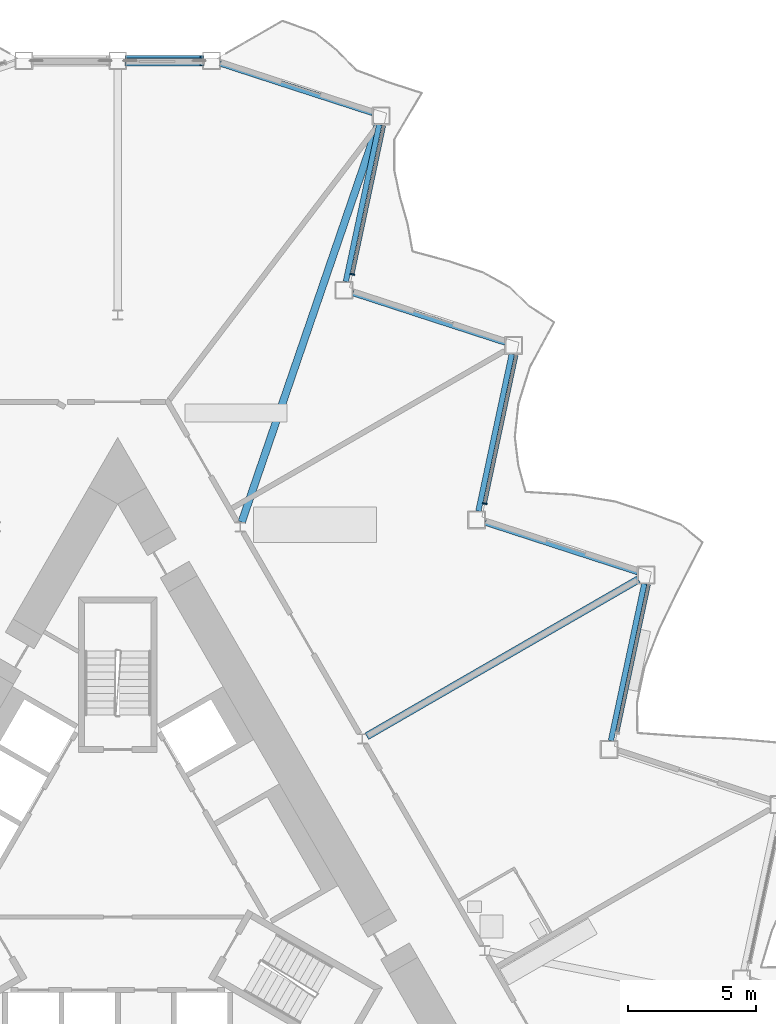
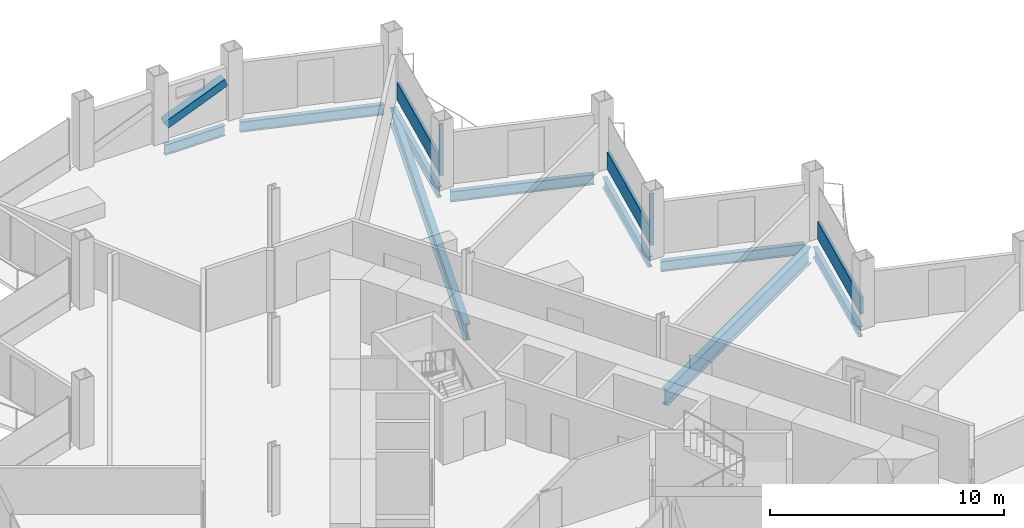
# One storey, part 9 of 23: 9 beams, 6 members, 3 elements without a shape of their own.
"""IFC4 building model written with IfcOpenShell, lengths in metres."""

from ifc_helpers import new_model, si_unit, direction, frame, origin, origin_2d, place, context, subcontext, project, spatial, rectangle, hollow_rectangle, i_section, extrude, material, layer, layer_set, material_profile, profile_set, type_object, element, aggregate, save


model = new_model("IFC4")

# Units and contexts
model_context = context("Model", 3, precision=1e-05, world=origin(), true_north=direction((0.0, 1.0)))
body_context = subcontext(model_context, "Body", "Model", "MODEL_VIEW")
ifc_project = project(units=[si_unit("LENGTHUNIT", "METRE"), si_unit("AREAUNIT", "SQUARE_METRE"), si_unit("VOLUMEUNIT", "CUBIC_METRE"), si_unit("PLANEANGLEUNIT", "RADIAN"), si_unit("MASSUNIT", "GRAM", prefix="KILO")], contexts=[model_context])

# Site, building, storey
site_placement = place(None, origin())
site = spatial("IfcSite", under=ifc_project, at=site_placement, CompositionType="ELEMENT")
building_placement = place(site_placement, origin())
building = spatial("IfcBuilding", under=site, at=building_placement, Name="Cormorant Prow Tower", CompositionType="ELEMENT")
storey_placement = place(building_placement, frame((0.0, 0.0, 267.0)))
storey = spatial("IfcBuildingStorey", under=building, at=storey_placement, Name="L60", CompositionType="ELEMENT", Elevation=267.0)

# Member
ifc_material_1 = material(Name="Structural steel ASTM A500 Gr C", Category="steel")
ifc_material_profile_1 = material_profile(ifc_material_1, hollow_rectangle(XDim=0.406494140625, YDim=0.406494140625, WallThickness=0.01171875, at=origin_2d()), Name="HSS16x16x1/2")
ifc_profile_set_1 = profile_set([ifc_material_profile_1], Name="Structural steel ASTM A500 Gr C")
member_type_1 = type_object("IfcMemberType", Name="Chamfer brace HSS16x16x1/2", PredefinedType="BRACE", material=ifc_profile_set_1)
member_1_placement = place(storey_placement, frame((0.36572265625, 32.073486328125, 0.74951171875), z_axis=(0.925591042089, 0.0, 0.37852506232), x_axis=(0.0, 1.0, 0.0)))
element("IfcMember", 1, at=member_1_placement, inside=storey, type_object=member_type_1, Name="Chamfer brace BR2 at N00 L60", PredefinedType="BRACE", context=body_context, shape_type="SweptSolid", body=[
    extrude(hollow_rectangle(XDim=0.406494140625, YDim=0.406494140625, WallThickness=0.01171875, at=origin_2d()), origin(), (0.0, 0.0, 1.0), 3.17529296875),
])

# Curtain wall, member
ifc_material_2 = material(Name="Aluminium 6063-T6", Category="aluminium")
ifc_layer = layer(ifc_material_2, 0.179931640625)
ifc_layer_set = layer_set([ifc_layer], Name="Aluminium 6063-T6")
curtain_wall_type = type_object("IfcCurtainWallType", Name="Hotel unitised curtain wall 180", PredefinedType="NOTDEFINED", material=ifc_layer_set)
curtain_wall_1_placement = place(storey_placement, origin())
curtain_wall_1 = element("IfcCurtainWall", 2, at=curtain_wall_1_placement, inside=storey, type_object=curtain_wall_type, Name="Hotel curtain wall ENE06", PredefinedType="NOTDEFINED")
ifc_material_3 = material(Name="Aluminium 6063-T6", Category="aluminium")
ifc_material_profile_2 = material_profile(ifc_material_3, rectangle(XDim=0.179931640625, YDim=0.06005859375, at=origin_2d()), Name="Hotel mullion 60x180")
ifc_profile_set_2 = profile_set([ifc_material_profile_2], Name="Aluminium 6063-T6")
member_type_2 = type_object("IfcMemberType", Name="Hotel mullion 60x180", PredefinedType="MULLION", material=ifc_profile_set_2)
member_2_placement = place(storey_placement, frame((14.36865234375, 14.73583984375, 0.0), z_axis=(0.0, 0.0, 1.0), x_axis=(-0.978147594975, 0.207911717911, 0.0)))
member_2 = element("IfcMember", 3, at=member_2_placement, type_object=member_type_2, Name="Hotel mullion ENE06", PredefinedType="MULLION", context=body_context, shape_type="SweptSolid", body=[
    extrude(rectangle(XDim=0.179931640625, YDim=0.06005859375, at=origin_2d()), origin(), (0.0, 0.0, 1.0), 2.700927734375),
])

curtain_wall_2_placement = place(storey_placement, origin())
curtain_wall_2 = element("IfcCurtainWall", 4, at=curtain_wall_2_placement, inside=storey, type_object=curtain_wall_type, Name="Hotel curtain wall ENE08", PredefinedType="NOTDEFINED")
member_3_placement = place(storey_placement, frame((9.18603515625, 23.712646484375, 0.0), z_axis=(0.0, 0.0, 1.0), x_axis=(-0.978147617938, 0.20791160988, 0.0)))
member_3 = element("IfcMember", 5, at=member_3_placement, type_object=member_type_2, Name="Hotel mullion ENE08", PredefinedType="MULLION", context=body_context, shape_type="SweptSolid", body=[
    extrude(rectangle(XDim=0.179931640625, YDim=0.06005859375, at=origin_2d()), origin(), (0.0, 0.0, 1.0), 2.700927734375),
])

curtain_wall_3_placement = place(storey_placement, origin())
curtain_wall_3 = element("IfcCurtainWall", 6, at=curtain_wall_3_placement, inside=storey, type_object=curtain_wall_type, Name="Hotel curtain wall ENE04", PredefinedType="NOTDEFINED")
ifc_material_4 = material(Name="Terracotta", Category="masonry")
ifc_material_profile_3 = material_profile(ifc_material_4, rectangle(XDim=0.139892578125, YDim=0.89990234375, at=origin_2d()), Name="Hotel terracotta spandrel rail 140x900")
ifc_profile_set_3 = profile_set([ifc_material_profile_3], Name="Terracotta")
member_type_3 = type_object("IfcMemberType", Name="Hotel terracotta spandrel rail 140x900", PredefinedType="USERDEFINED", material=ifc_profile_set_3)
member_4_placement = place(storey_placement, frame((19.5576171875, 5.78857421875, 0.449951171875), z_axis=(0.207926913672, 0.978144364892, 0.0), x_axis=(-0.978144364892, 0.207926913672, 0.0)))
member_4 = element("IfcMember", 7, at=member_4_placement, type_object=member_type_3, Name="Hotel spandrel rail ENE04", ObjectType="TRANSOM", PredefinedType="USERDEFINED", context=body_context, shape_type="SweptSolid", body=[
    extrude(rectangle(XDim=0.139892578125, YDim=0.89990234375, at=origin_2d()), origin(), (0.0, 0.0, 1.0), 5.911865234375),
])
aggregate(curtain_wall_3, [member_4])

# Member
member_5_placement = place(storey_placement, frame((14.375, 14.76513671875, 0.449951171875), z_axis=(0.207879005078, 0.978154547732, 0.0), x_axis=(-0.978154547732, 0.207879005078, 0.0)))
member_5 = element("IfcMember", 8, at=member_5_placement, type_object=member_type_3, Name="Hotel spandrel rail ENE06", ObjectType="TRANSOM", PredefinedType="USERDEFINED", context=body_context, shape_type="SweptSolid", body=[
    extrude(rectangle(XDim=0.139892578125, YDim=0.89990234375, at=origin_2d()), origin(), (0.0, 0.0, 1.0), 5.912109375),
])

aggregate(curtain_wall_1, [member_2, member_5])

member_6_placement = place(storey_placement, frame((9.1923828125, 23.741943359375, 0.449951171875), z_axis=(0.207887402243, 0.978152763115, 0.0), x_axis=(-0.978152763115, 0.207887402243, 0.0)))
member_6 = element("IfcMember", 9, at=member_6_placement, type_object=member_type_3, Name="Hotel spandrel rail ENE08", ObjectType="TRANSOM", PredefinedType="USERDEFINED", context=body_context, shape_type="SweptSolid", body=[
    extrude(rectangle(XDim=0.139892578125, YDim=0.89990234375, at=origin_2d()), origin(), (0.0, 0.0, 1.0), 5.911865234375),
])

aggregate(curtain_wall_2, [member_3, member_6])

# Beams
ifc_material_5 = material(Name="Structural steel ASTM A992 Gr 50", Category="steel")
ifc_material_profile_4 = material_profile(ifc_material_5, i_section(OverallWidth=0.29296875, OverallDepth=0.845703125, WebThickness=0.015380859375, FlangeThickness=0.0244140625, at=origin_2d()), Name="W33x141")
ifc_profile_set_4 = profile_set([ifc_material_profile_4], Name="Structural steel ASTM A992 Gr 50")
beam_type_1 = type_object("IfcBeamType", Name="Radial floor beam W33x141", PredefinedType="BEAM", material=ifc_profile_set_4)
beam_1_placement = place(storey_placement, frame((9.751220703125, 5.6298828125, -0.77294921875), z_axis=(0.866021995826, 0.500005902711, 0.0), x_axis=(-0.500005902711, 0.866021995826, 0.0)))
element("IfcBeam", 10, at=beam_1_placement, inside=storey, type_object=beam_type_1, Name="Radial floor beam FB2 11 L60", PredefinedType="BEAM", context=body_context, shape_type="SweptSolid", body=[
    extrude(i_section(OverallWidth=0.29296875, OverallDepth=0.845703125, WebThickness=0.015380859375, FlangeThickness=0.0244140625, at=origin_2d()), origin(), (0.0, 0.0, 1.0), 12.277099609375),
])
beam_2_placement = place(storey_placement, frame((4.85400390625, 14.013916015625, -0.77294921875), z_axis=(0.324535507117, 0.945873514071, 0.0), x_axis=(-0.945873514071, 0.324535507117, 0.0)))
element("IfcBeam", 11, at=beam_2_placement, inside=storey, type_object=beam_type_1, Name="Radial floor beam FB2 12 L60", PredefinedType="BEAM", context=body_context, shape_type="SweptSolid", body=[
    extrude(i_section(OverallWidth=0.29296875, OverallDepth=0.845703125, WebThickness=0.015380859375, FlangeThickness=0.0244140625, at=origin_2d()), origin(), (0.0, 0.0, 1.0), 16.462158203125),
])
ifc_material_6 = material(Name="Structural steel ASTM A992 Gr 50", Category="steel")
ifc_material_profile_5 = material_profile(ifc_material_6, i_section(OverallWidth=0.2138671875, OverallDepth=0.549072265625, WebThickness=0.0146484375, FlangeThickness=0.023681640625, at=origin_2d()), Name="W21x93")
ifc_profile_set_5 = profile_set([ifc_material_profile_5], Name="Structural steel ASTM A992 Gr 50")
beam_type_2 = type_object("IfcBeamType", Name="Spandrel beam W21x93", PredefinedType="SPANDREL", material=ifc_profile_set_5)
beam_3_placement = place(storey_placement, frame((19.307861328125, 5.456787109375, -0.62451171875), z_axis=(0.207933593793, 0.978142944856, 0.0), x_axis=(-0.978142944856, 0.207933593793, 0.0)))
element("IfcBeam", 12, at=beam_3_placement, inside=storey, type_object=beam_type_2, Name="Spandrel beam SB2 ENE04-ENE05 L60", PredefinedType="SPANDREL", context=body_context, shape_type="SweptSolid", body=[
    extrude(i_section(OverallWidth=0.2138671875, OverallDepth=0.549072265625, WebThickness=0.0146484375, FlangeThickness=0.023681640625, at=origin_2d()), origin(), (0.0, 0.0, 1.0), 6.281494140625),
])
beam_4_placement = place(storey_placement, frame((20.353759765625, 12.051513671875, -0.62451171875), z_axis=(-0.951050348284, 0.309035976918, 0.0), x_axis=(-0.309035976918, -0.951050348284, 0.0)))
element("IfcBeam", 13, at=beam_4_placement, inside=storey, type_object=beam_type_2, Name="Spandrel beam SB2 ENE05-ENE06 L60", PredefinedType="SPANDREL", context=body_context, shape_type="SweptSolid", body=[
    extrude(i_section(OverallWidth=0.2138671875, OverallDepth=0.549072265625, WebThickness=0.0146484375, FlangeThickness=0.023681640625, at=origin_2d()), origin(), (0.0, 0.0, 1.0), 6.28125),
])
beam_5_placement = place(storey_placement, frame((14.11962890625, 14.443115234375, -0.62451171875), z_axis=(0.207933593793, 0.978142944856, 0.0), x_axis=(-0.978142944856, 0.207933593793, 0.0)))
element("IfcBeam", 14, at=beam_5_placement, inside=storey, type_object=beam_type_2, Name="Spandrel beam SB2 ENE06-ENE07 L60", PredefinedType="SPANDREL", context=body_context, shape_type="SweptSolid", body=[
    extrude(i_section(OverallWidth=0.2138671875, OverallDepth=0.549072265625, WebThickness=0.0146484375, FlangeThickness=0.023681640625, at=origin_2d()), origin(), (0.0, 0.0, 1.0), 6.281494140625),
])
beam_6_placement = place(storey_placement, frame((15.16552734375, 21.037841796875, -0.62451171875), z_axis=(-0.951050348284, 0.309035976918, 0.0), x_axis=(-0.309035976918, -0.951050348284, 0.0)))
element("IfcBeam", 15, at=beam_6_placement, inside=storey, type_object=beam_type_2, Name="Spandrel beam SB2 ENE07-ENE08 L60", PredefinedType="SPANDREL", context=body_context, shape_type="SweptSolid", body=[
    extrude(i_section(OverallWidth=0.2138671875, OverallDepth=0.549072265625, WebThickness=0.0146484375, FlangeThickness=0.023681640625, at=origin_2d()), origin(), (0.0, 0.0, 1.0), 6.28125),
])
for number, where, z_axis, x_axis, name in (
    (16, (8.931396484375, 23.429443359375, -0.62451171875), (0.207896407679, 0.97815084914, 0.0), (-0.97815084914, 0.207896407679, 0.0), "Spandrel beam SB2 ENE08-ENE09 L60"),
    (17, (9.977294921875, 30.024169921875, -0.62451171875), (-0.951054060056, 0.309024553801, 0.0), (-0.309024553801, -0.951054060056, 0.0), "Spandrel beam SB2 ENE09-N00 L60"),
):
    element("IfcBeam", number, at=place(storey_placement, frame(where, z_axis=z_axis, x_axis=x_axis)), inside=storey, type_object=beam_type_2, Name=name, PredefinedType="SPANDREL", context=body_context, shape_type="SweptSolid", body=[
        extrude(i_section(OverallWidth=0.2138671875, OverallDepth=0.549072265625, WebThickness=0.0146484375, FlangeThickness=0.023681640625, at=origin_2d()), origin(), (0.0, 0.0, 1.0), 6.281494140625),
    ])
beam_7_placement = place(storey_placement, frame((3.3203125, 32.073486328125, -0.62451171875), z_axis=(-1.0, 0.0, 0.0), x_axis=(0.0, -1.0, 0.0)))
element("IfcBeam", 18, at=beam_7_placement, inside=storey, type_object=beam_type_2, Name="Spandrel beam SB2 N00-N01 L60", PredefinedType="SPANDREL", context=body_context, shape_type="SweptSolid", body=[
    extrude(i_section(OverallWidth=0.2138671875, OverallDepth=0.549072265625, WebThickness=0.0146484375, FlangeThickness=0.023681640625, at=origin_2d()), origin(), (0.0, 0.0, 1.0), 2.97021484375),
])

save(model, "model.ifc")
